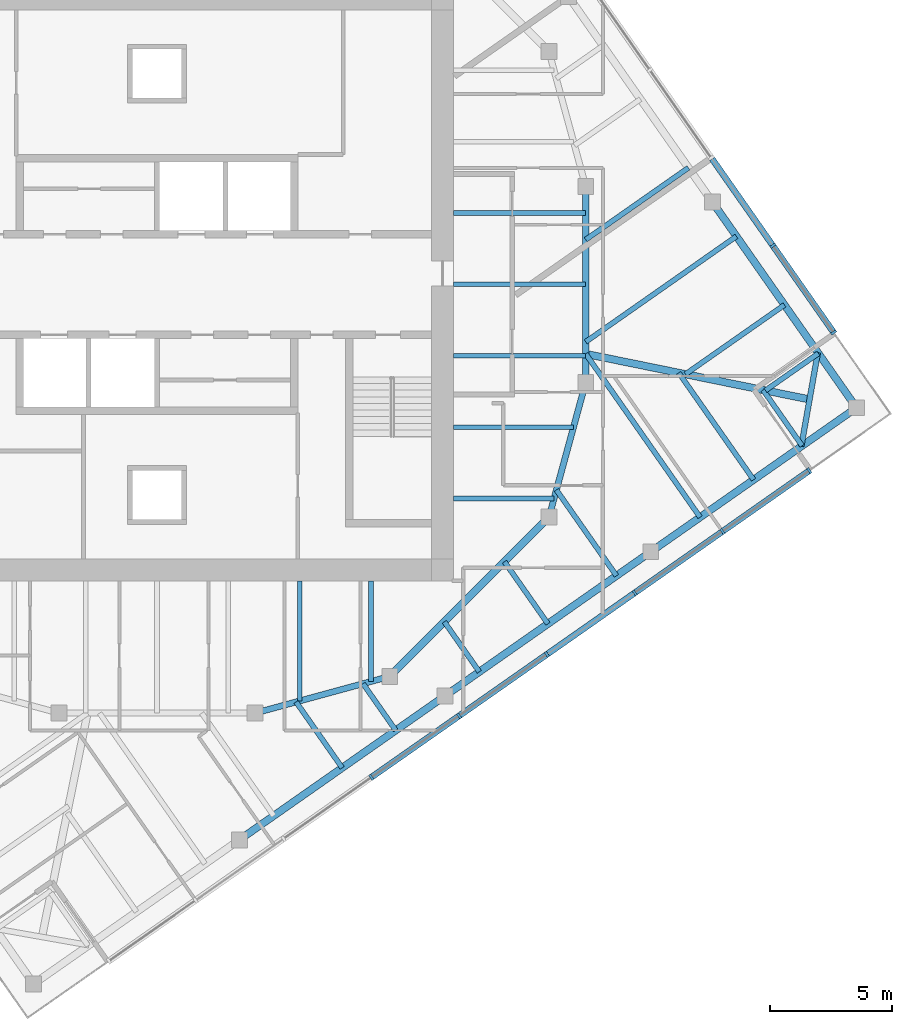
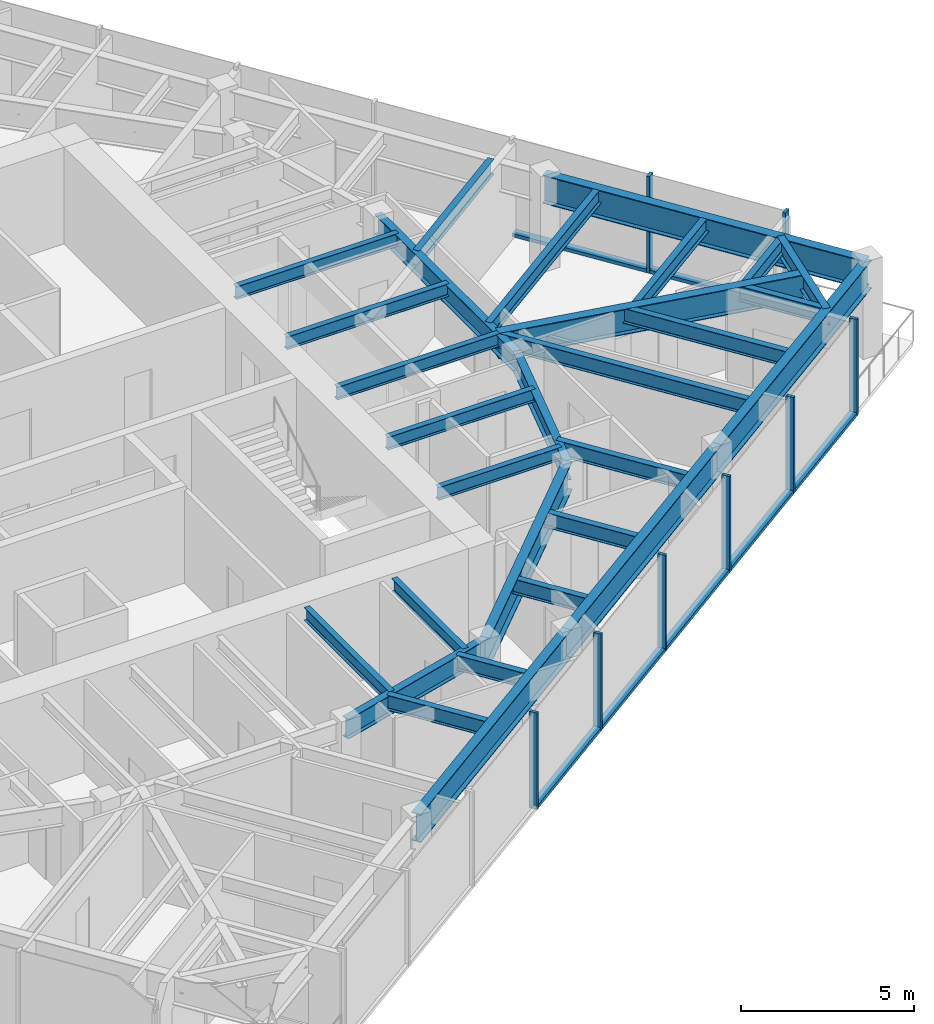
# One storey, part 3 of 13: 29 beams, 15 members, 2 elements without a shape of their own.
"""IFC4 building model written with IfcOpenShell, lengths in metres."""

from ifc_helpers import new_model, si_unit, direction, frame, origin, origin_2d, place, context, subcontext, project, spatial, rectangle, i_section, extrude, material, material_profile, profile_set, type_object, element, aggregate, save


model = new_model("IFC4")

# Units and contexts
model_context = context("Model", 3, precision=1e-05, world=origin(), true_north=direction((0.0, 1.0)))
body_context = subcontext(model_context, "Body", "Model", "MODEL_VIEW")
ifc_project = project(units=[si_unit("LENGTHUNIT", "METRE"), si_unit("AREAUNIT", "SQUARE_METRE"), si_unit("VOLUMEUNIT", "CUBIC_METRE"), si_unit("PLANEANGLEUNIT", "RADIAN"), si_unit("MASSUNIT", "GRAM", prefix="KILO")], contexts=[model_context])

# Site, building, storey
site_placement = place(None, origin())
site = spatial("IfcSite", under=ifc_project, at=site_placement, CompositionType="ELEMENT")
building_placement = place(site_placement, origin())
building = spatial("IfcBuilding", under=site, at=building_placement, Name="Torsade Residences", CompositionType="ELEMENT")
storey_placement = place(building_placement, frame((0.0, 0.0, 260.800048828125)))
storey = spatial("IfcBuildingStorey", under=building, at=storey_placement, Name="L72", CompositionType="ELEMENT", Elevation=260.800048828125)

# Beams
ifc_material_1 = material(Name="Steel grade 300", Category="steel")
ifc_material_profile_1 = material_profile(ifc_material_1, i_section(OverallWidth=0.300048828125, OverallDepth=0.89990234375, WebThickness=0.011962890625, FlangeThickness=0.02490234375, at=origin_2d()), Name="900WB175")
ifc_profile_set_1 = profile_set([ifc_material_profile_1], Name="Steel grade 300")
beam_type_1 = type_object("IfcBeamType", Name="CORNER GIRDER 900WB175", PredefinedType="BEAM", material=ifc_profile_set_1)
beam_1_placement = place(storey_placement, frame((66.635986328125, 25.303466796875, 2.800048828125), z_axis=(-0.979880626756, 0.199584461589, 0.0), x_axis=(-0.199584461589, -0.979880626756, 0.0)))
element("IfcBeam", 1, at=beam_1_placement, inside=storey, type_object=beam_type_1, Name="Corner girder 05 L73", PredefinedType="BEAM", context=body_context, shape_type="SweptSolid", body=[
    extrude(i_section(OverallWidth=0.300048828125, OverallDepth=0.89990234375, WebThickness=0.011962890625, FlangeThickness=0.02490234375, at=origin_2d()), origin(), (0.0, 0.0, 1.0), 9.323486328125),
])
ifc_material_2 = material(Name="Steel grade 300", Category="steel")
ifc_material_profile_2 = material_profile(ifc_material_2, i_section(OverallWidth=0.22802734375, OverallDepth=0.60205078125, WebThickness=0.010498046875, FlangeThickness=0.014892578125, FilletRadius=0.013916015625, at=origin_2d()), Name="610UB101")
ifc_profile_set_2 = profile_set([ifc_material_profile_2], Name="Steel grade 300")
beam_type_2 = type_object("IfcBeamType", Name="CORNER TRIMMER 610UB101", PredefinedType="BEAM", material=ifc_profile_set_2)
beam_2_placement = place(storey_placement, frame((66.9736328125, 27.21826171875, 2.948974609375), z_axis=(-0.173645660267, -0.984808196894, 0.0), x_axis=(0.984808196894, -0.173645660267, 0.0)))
element("IfcBeam", 2, at=beam_2_placement, inside=storey, type_object=beam_type_2, Name="Corner trimmer 05 L73", PredefinedType="BEAM", context=body_context, shape_type="SweptSolid", body=[
    extrude(i_section(OverallWidth=0.22802734375, OverallDepth=0.60205078125, WebThickness=0.010498046875, FlangeThickness=0.014892578125, FilletRadius=0.013916015625, at=origin_2d()), origin(), (0.0, 0.0, 1.0), 3.888916015625),
])
ifc_material_3 = material(Name="Steel grade 300", Category="steel")
ifc_material_profile_3 = material_profile(ifc_material_3, i_section(OverallWidth=0.300048828125, OverallDepth=1.0, WebThickness=0.01611328125, FlangeThickness=0.028076171875, at=origin_2d()), Name="1000WB215")
ifc_profile_set_3 = profile_set([ifc_material_profile_3], Name="Steel grade 300")
beam_type_3 = type_object("IfcBeamType", Name="EDGE BEAM 1000WB215", PredefinedType="SPANDREL", material=ifc_profile_set_3)
for number, where, z_axis, x_axis, name in (
    (3, (43.362060546875, 7.328125, 2.75), (0.819150225126, 0.573579034377, 0.0), (-0.573579034377, 0.819150225126, 0.0), "Edge beam 02 L73"),
    (4, (51.75830078125, 13.207275390625, 2.75), (0.819150225126, 0.573579034377, 0.0), (-0.573579034377, 0.819150225126, 0.0), "Edge beam 03 L73"),
):
    element("IfcBeam", number, at=place(storey_placement, frame(where, z_axis=z_axis, x_axis=x_axis)), inside=storey, type_object=beam_type_3, Name=name, PredefinedType="SPANDREL", context=body_context, shape_type="SweptSolid", body=[
        extrude(i_section(OverallWidth=0.300048828125, OverallDepth=1.0, WebThickness=0.01611328125, FlangeThickness=0.028076171875, at=origin_2d()), origin(), (0.0, 0.0, 1.0), 10.25),
    ])
beam_3_placement = place(storey_placement, frame((60.154541015625, 19.08642578125, 2.75), z_axis=(0.819146870247, 0.573583825578, 0.0), x_axis=(-0.573583825578, 0.819146870247, 0.0)))
element("IfcBeam", 5, at=beam_3_placement, inside=storey, type_object=beam_type_3, Name="Edge beam 04 L73", PredefinedType="SPANDREL", context=body_context, shape_type="SweptSolid", body=[
    extrude(i_section(OverallWidth=0.300048828125, OverallDepth=1.0, WebThickness=0.01611328125, FlangeThickness=0.028076171875, at=origin_2d()), origin(), (0.0, 0.0, 1.0), 10.250244140625),
])
beam_4_placement = place(storey_placement, frame((68.551025390625, 24.9658203125, 2.75), z_axis=(-0.573579034377, 0.819150225126, 0.0), x_axis=(-0.819150225126, -0.573579034377, 0.0)))
element("IfcBeam", 6, at=beam_4_placement, inside=storey, type_object=beam_type_3, Name="Edge beam 05 L73", PredefinedType="SPANDREL", context=body_context, shape_type="SweptSolid", body=[
    extrude(i_section(OverallWidth=0.300048828125, OverallDepth=1.0, WebThickness=0.01611328125, FlangeThickness=0.028076171875, at=origin_2d()), origin(), (0.0, 0.0, 1.0), 10.25),
])

# Curtain wall, members
ifc_material_4 = material(Name="Aluminium and glass", Category="aluminium")
curtain_wall_type = type_object("IfcCurtainWallType", Name="FRITTED GLASS CURTAIN WALL HIGH ZONE", PredefinedType="NOTDEFINED", material=ifc_material_4)
curtain_wall_1_placement = place(storey_placement, origin())
curtain_wall_1 = element("IfcCurtainWall", 7, at=curtain_wall_1_placement, inside=storey, type_object=curtain_wall_type, Name="Curtain wall L72 face 1", PredefinedType="NOTDEFINED")
ifc_material_5 = material(Name="Aluminium mullion", Category="aluminium")
ifc_material_profile_4 = material_profile(ifc_material_5, rectangle(XDim=0.25, YDim=0.10009765625, at=origin_2d()), Name="HIGH ZONE CURTAIN WALL MULLION 250x100")
ifc_profile_set_4 = profile_set([ifc_material_profile_4], Name="Aluminium mullion")
member_type_1 = type_object("IfcMemberType", Name="HIGH ZONE CURTAIN WALL MULLION 250x100", PredefinedType="MULLION", material=ifc_profile_set_4)
member_1_placement = place(storey_placement, frame((48.748046875, 9.87890625, 0.0), z_axis=(0.0, 0.0, 1.0), x_axis=(-0.573576457682, 0.819152029353, 0.0)))
member_1 = element("IfcMember", 8, at=member_1_placement, type_object=member_type_1, Name="Mullion 4", PredefinedType="MULLION", context=body_context, shape_type="SweptSolid", body=[
    extrude(rectangle(XDim=0.25, YDim=0.10009765625, at=origin_2d()), origin(), (0.0, 0.0, 1.0), 3.39990234375),
])
member_2_placement = place(storey_placement, frame((52.331787109375, 12.38818359375, 0.0), z_axis=(0.0, 0.0, 1.0), x_axis=(-0.573576457682, 0.819152029353, 0.0)))
member_2 = element("IfcMember", 9, at=member_2_placement, type_object=member_type_1, Name="Mullion 5", PredefinedType="MULLION", context=body_context, shape_type="SweptSolid", body=[
    extrude(rectangle(XDim=0.25, YDim=0.10009765625, at=origin_2d()), origin(), (0.0, 0.0, 1.0), 3.39990234375),
])
member_3_placement = place(storey_placement, frame((55.915771484375, 14.897705078125, 0.0), z_axis=(0.0, 0.0, 1.0), x_axis=(-0.573576457682, 0.819152029353, 0.0)))
member_3 = element("IfcMember", 10, at=member_3_placement, type_object=member_type_1, Name="Mullion 6", PredefinedType="MULLION", context=body_context, shape_type="SweptSolid", body=[
    extrude(rectangle(XDim=0.25, YDim=0.10009765625, at=origin_2d()), origin(), (0.0, 0.0, 1.0), 3.39990234375),
])
member_4_placement = place(storey_placement, frame((59.49951171875, 17.406982421875, 0.0), z_axis=(0.0, 0.0, 1.0), x_axis=(-0.573576457682, 0.819152029353, 0.0)))
member_4 = element("IfcMember", 11, at=member_4_placement, type_object=member_type_1, Name="Mullion 7", PredefinedType="MULLION", context=body_context, shape_type="SweptSolid", body=[
    extrude(rectangle(XDim=0.25, YDim=0.10009765625, at=origin_2d()), origin(), (0.0, 0.0, 1.0), 3.39990234375),
])
member_5_placement = place(storey_placement, frame((63.083251953125, 19.91650390625, 0.0), z_axis=(0.0, 0.0, 1.0), x_axis=(-0.573576457682, 0.819152029353, 0.0)))
member_5 = element("IfcMember", 12, at=member_5_placement, type_object=member_type_1, Name="Mullion 8", PredefinedType="MULLION", context=body_context, shape_type="SweptSolid", body=[
    extrude(rectangle(XDim=0.25, YDim=0.10009765625, at=origin_2d()), origin(), (0.0, 0.0, 1.0), 3.39990234375),
])
member_6_placement = place(storey_placement, frame((66.6259765625, 22.397216796875, 0.0), z_axis=(0.0, 0.0, 1.0), x_axis=(-0.573576457682, 0.819152029353, 0.0)))
member_6 = element("IfcMember", 13, at=member_6_placement, type_object=member_type_1, Name="Mullion 9", PredefinedType="MULLION", context=body_context, shape_type="SweptSolid", body=[
    extrude(rectangle(XDim=0.25, YDim=0.10009765625, at=origin_2d()), origin(), (0.0, 0.0, 1.0), 3.39990234375),
])

curtain_wall_2_placement = place(storey_placement, origin())
curtain_wall_2 = element("IfcCurtainWall", 14, at=curtain_wall_2_placement, inside=storey, type_object=curtain_wall_type, Name="Curtain wall L72 face 4", PredefinedType="NOTDEFINED")
member_7_placement = place(storey_placement, frame((67.62060546875, 28.03759765625, 0.0), z_axis=(0.0, 0.0, 1.0), x_axis=(-0.819152029353, -0.573576457682, 0.0)))
member_7 = element("IfcMember", 15, at=member_7_placement, type_object=member_type_1, Name="Mullion 1", PredefinedType="MULLION", context=body_context, shape_type="SweptSolid", body=[
    extrude(rectangle(XDim=0.25, YDim=0.10009765625, at=origin_2d()), origin(), (0.0, 0.0, 1.0), 3.39990234375),
])
member_8_placement = place(storey_placement, frame((65.139892578125, 31.58056640625, 0.0), z_axis=(0.0, 0.0, 1.0), x_axis=(-0.819152029353, -0.573576457682, 0.0)))
member_8 = element("IfcMember", 16, at=member_8_placement, type_object=member_type_1, Name="Mullion 2", PredefinedType="MULLION", context=body_context, shape_type="SweptSolid", body=[
    extrude(rectangle(XDim=0.25, YDim=0.10009765625, at=origin_2d()), origin(), (0.0, 0.0, 1.0), 3.39990234375),
])

# Member
ifc_material_6 = material(Name="Aluminium transom", Category="aluminium")
ifc_material_profile_5 = material_profile(ifc_material_6, rectangle(XDim=0.25, YDim=0.1201171875, at=origin_2d()), Name="HIGH ZONE CURTAIN WALL TRANSOM 250x120")
ifc_profile_set_5 = profile_set([ifc_material_profile_5], Name="Aluminium transom")
member_type_2 = type_object("IfcMemberType", Name="HIGH ZONE CURTAIN WALL TRANSOM 250x120", PredefinedType="USERDEFINED", material=ifc_profile_set_5)
member_9_placement = place(storey_placement, frame((48.7890625, 9.907470703125, 0.06005859375), z_axis=(0.819146058863, 0.57358498433, 0.0), x_axis=(-0.57358498433, 0.819146058863, 0.0)))
member_9 = element("IfcMember", 17, at=member_9_placement, type_object=member_type_2, Name="Transom 4.1", ObjectType="TRANSOM", PredefinedType="USERDEFINED", context=body_context, shape_type="SweptSolid", body=[
    extrude(rectangle(XDim=0.25, YDim=0.1201171875, at=origin_2d()), origin(), (0.0, 0.0, 1.0), 4.275146484375),
])

member_10_placement = place(storey_placement, frame((52.372802734375, 12.4169921875, 0.06005859375), z_axis=(0.81917289067, 0.573546663483, 0.0), x_axis=(-0.573546663483, 0.81917289067, 0.0)))
member_10 = element("IfcMember", 18, at=member_10_placement, type_object=member_type_2, Name="Transom 5.1", ObjectType="TRANSOM", PredefinedType="USERDEFINED", context=body_context, shape_type="SweptSolid", body=[
    extrude(rectangle(XDim=0.25, YDim=0.1201171875, at=origin_2d()), origin(), (0.0, 0.0, 1.0), 4.27490234375),
])

member_11_placement = place(storey_placement, frame((55.95654296875, 14.92626953125, 0.06005859375), z_axis=(0.819146058863, 0.57358498433, 0.0), x_axis=(-0.57358498433, 0.819146058863, 0.0)))
member_11 = element("IfcMember", 19, at=member_11_placement, type_object=member_type_2, Name="Transom 6.1", ObjectType="TRANSOM", PredefinedType="USERDEFINED", context=body_context, shape_type="SweptSolid", body=[
    extrude(rectangle(XDim=0.25, YDim=0.1201171875, at=origin_2d()), origin(), (0.0, 0.0, 1.0), 4.275146484375),
])

member_12_placement = place(storey_placement, frame((59.54052734375, 17.435791015625, 0.06005859375), z_axis=(0.819154102984, 0.573573496219, 0.0), x_axis=(-0.573573496219, 0.819154102984, 0.0)))
member_12 = element("IfcMember", 20, at=member_12_placement, type_object=member_type_2, Name="Transom 7.1", ObjectType="TRANSOM", PredefinedType="USERDEFINED", context=body_context, shape_type="SweptSolid", body=[
    extrude(rectangle(XDim=0.25, YDim=0.1201171875, at=origin_2d()), origin(), (0.0, 0.0, 1.0), 4.27490234375),
])

member_13_placement = place(storey_placement, frame((63.124267578125, 19.945068359375, 0.06005859375), z_axis=(0.819155901234, 0.573570928023, 0.0), x_axis=(-0.573570928023, 0.819155901234, 0.0)))
member_13 = element("IfcMember", 21, at=member_13_placement, type_object=member_type_2, Name="Transom 8.1", ObjectType="TRANSOM", PredefinedType="USERDEFINED", context=body_context, shape_type="SweptSolid", body=[
    extrude(rectangle(XDim=0.25, YDim=0.1201171875, at=origin_2d()), origin(), (0.0, 0.0, 1.0), 4.22509765625),
])

aggregate(curtain_wall_1, [member_1, member_2, member_3, member_4, member_5, member_6, member_9, member_10, member_11, member_12, member_13])

member_14_placement = place(storey_placement, frame((67.592041015625, 28.07861328125, 0.06005859375), z_axis=(-0.573570928023, 0.819155901234, 0.0), x_axis=(-0.819155901234, -0.573570928023, 0.0)))
member_14 = element("IfcMember", 22, at=member_14_placement, type_object=member_type_2, Name="Transom 1.1", ObjectType="TRANSOM", PredefinedType="USERDEFINED", context=body_context, shape_type="SweptSolid", body=[
    extrude(rectangle(XDim=0.25, YDim=0.1201171875, at=origin_2d()), origin(), (0.0, 0.0, 1.0), 4.22509765625),
])

member_15_placement = place(storey_placement, frame((65.111328125, 31.62158203125, 0.06005859375), z_axis=(-0.573611817101, 0.819127269283, 0.0), x_axis=(-0.819127269283, -0.573611817101, 0.0)))
member_15 = element("IfcMember", 23, at=member_15_placement, type_object=member_type_2, Name="Transom 2.1", ObjectType="TRANSOM", PredefinedType="USERDEFINED", context=body_context, shape_type="SweptSolid", body=[
    extrude(rectangle(XDim=0.25, YDim=0.1201171875, at=origin_2d()), origin(), (0.0, 0.0, 1.0), 4.27490234375),
])

aggregate(curtain_wall_2, [member_7, member_8, member_14, member_15])

# Beams
ifc_material_7 = material(Name="Steel grade 300", Category="steel")
ifc_material_profile_6 = material_profile(ifc_material_7, i_section(OverallWidth=0.18994140625, OverallDepth=0.4541015625, WebThickness=0.008544921875, FlangeThickness=0.0126953125, FilletRadius=0.011474609375, at=origin_2d()), Name="460UB67.1")
ifc_profile_set_6 = profile_set([ifc_material_profile_6], Name="Steel grade 300")
beam_type_4 = type_object("IfcBeamType", Name="INNER FLOOR BEAM 460UB67.1", PredefinedType="JOIST", material=ifc_profile_set_6)
beam_5_placement = place(storey_placement, frame((48.737548828125, 17.89990234375, 3.02294921875), z_axis=(0.0, -1.0, 0.0), x_axis=(1.0, 0.0, 0.0)))
element("IfcBeam", 24, at=beam_5_placement, inside=storey, type_object=beam_type_4, Name="Inner floor beam IS01 L73", PredefinedType="JOIST", context=body_context, shape_type="SweptSolid", body=[
    extrude(i_section(OverallWidth=0.18994140625, OverallDepth=0.4541015625, WebThickness=0.008544921875, FlangeThickness=0.0126953125, FilletRadius=0.011474609375, at=origin_2d()), origin(), (0.0, 0.0, 1.0), 4.10791015625),
])
beam_6_placement = place(storey_placement, frame((45.824951171875, 17.89990234375, 3.02294921875), z_axis=(0.0, -1.0, 0.0), x_axis=(1.0, 0.0, 0.0)))
element("IfcBeam", 25, at=beam_6_placement, inside=storey, type_object=beam_type_4, Name="Inner floor beam IS02 L73", PredefinedType="JOIST", context=body_context, shape_type="SweptSolid", body=[
    extrude(i_section(OverallWidth=0.18994140625, OverallDepth=0.4541015625, WebThickness=0.008544921875, FlangeThickness=0.0126953125, FilletRadius=0.011474609375, at=origin_2d()), origin(), (0.0, 0.0, 1.0), 4.902099609375),
])
beam_7_placement = place(storey_placement, frame((52.10009765625, 21.262451171875, 3.02294921875), z_axis=(1.0, 0.0, 0.0), x_axis=(0.0, 1.0, 0.0)))
element("IfcBeam", 26, at=beam_7_placement, inside=storey, type_object=beam_type_4, Name="Inner floor beam IE01 L73", PredefinedType="JOIST", context=body_context, shape_type="SweptSolid", body=[
    extrude(i_section(OverallWidth=0.18994140625, OverallDepth=0.4541015625, WebThickness=0.008544921875, FlangeThickness=0.0126953125, FilletRadius=0.011474609375, at=origin_2d()), origin(), (0.0, 0.0, 1.0), 4.10791015625),
])
beam_8_placement = place(storey_placement, frame((52.10009765625, 24.175048828125, 3.02294921875), z_axis=(1.0, 0.0, 0.0), x_axis=(0.0, 1.0, 0.0)))
element("IfcBeam", 27, at=beam_8_placement, inside=storey, type_object=beam_type_4, Name="Inner floor beam IE02 L73", PredefinedType="JOIST", context=body_context, shape_type="SweptSolid", body=[
    extrude(i_section(OverallWidth=0.18994140625, OverallDepth=0.4541015625, WebThickness=0.008544921875, FlangeThickness=0.0126953125, FilletRadius=0.011474609375, at=origin_2d()), origin(), (0.0, 0.0, 1.0), 4.902099609375),
])
for number, where, z_axis, x_axis, name in (
    (28, (52.10009765625, 27.08740234375, 3.02294921875), (1.0, 0.0, 0.0), (0.0, 1.0, 0.0), "Inner floor beam IE03 L73"),
    (29, (52.10009765625, 30.0, 3.02294921875), (1.0, 0.0, 0.0), (0.0, 1.0, 0.0), "Inner floor beam IE04 L73"),
    (30, (52.10009765625, 32.91259765625, 3.02294921875), (1.0, 0.0, 0.0), (0.0, 1.0, 0.0), "Inner floor beam IE05 L73"),
):
    element("IfcBeam", number, at=place(storey_placement, frame(where, z_axis=z_axis, x_axis=x_axis)), inside=storey, type_object=beam_type_4, Name=name, PredefinedType="JOIST", context=body_context, shape_type="SweptSolid", body=[
        extrude(i_section(OverallWidth=0.18994140625, OverallDepth=0.4541015625, WebThickness=0.008544921875, FlangeThickness=0.0126953125, FilletRadius=0.011474609375, at=origin_2d()), origin(), (0.0, 0.0, 1.0), 5.39990234375),
    ])
ifc_material_8 = material(Name="Steel grade 300", Category="steel")
ifc_material_profile_7 = material_profile(ifc_material_8, i_section(OverallWidth=0.300048828125, OverallDepth=1.0, WebThickness=0.01611328125, FlangeThickness=0.028076171875, at=origin_2d()), Name="1000WB215")
ifc_profile_set_7 = profile_set([ifc_material_profile_7], Name="Steel grade 300")
beam_type_5 = type_object("IfcBeamType", Name="RING CORNER GIRDER 1000WB215", PredefinedType="BEAM", material=ifc_profile_set_7)
beam_9_placement = place(storey_placement, frame((49.5, 14.0, 2.75), z_axis=(0.707106781187, 0.707106781187, 0.0), x_axis=(-0.707106781187, 0.707106781187, 0.0)))
element("IfcBeam", 31, at=beam_9_placement, inside=storey, type_object=beam_type_5, Name="Ring girder IR15 L73", PredefinedType="BEAM", context=body_context, shape_type="SweptSolid", body=[
    extrude(i_section(OverallWidth=0.300048828125, OverallDepth=1.0, WebThickness=0.01611328125, FlangeThickness=0.028076171875, at=origin_2d()), origin(), (0.0, 0.0, 1.0), 9.1923828125),
])
ifc_material_9 = material(Name="Steel grade 300", Category="steel")
ifc_material_profile_8 = material_profile(ifc_material_9, i_section(OverallWidth=0.25, OverallDepth=0.699951171875, WebThickness=0.010009765625, FlangeThickness=0.02001953125, at=origin_2d()), Name="700WB130")
ifc_profile_set_8 = profile_set([ifc_material_profile_8], Name="Steel grade 300")
beam_type_6 = type_object("IfcBeamType", Name="RING GIRDER 700WB130", PredefinedType="BEAM", material=ifc_profile_set_8)
beam_10_placement = place(storey_placement, frame((57.5, 26.0, 2.89990234375), z_axis=(0.0, 1.0, 0.0), x_axis=(-1.0, 0.0, 0.0)))
element("IfcBeam", 32, at=beam_10_placement, inside=storey, type_object=beam_type_6, Name="Ring girder IR01 L73", PredefinedType="BEAM", context=body_context, shape_type="SweptSolid", body=[
    extrude(i_section(OverallWidth=0.25, OverallDepth=0.699951171875, WebThickness=0.010009765625, FlangeThickness=0.02001953125, at=origin_2d()), origin(), (0.0, 0.0, 1.0), 8.0),
])
for number, where, z_axis, x_axis, name in (
    (33, (44.0, 12.5, 2.89990234375), (0.964763821238, 0.263117405792, 0.0), (-0.263117405792, 0.964763821238, 0.0), "Ring girder IR14 L73"),
    (34, (56.0, 20.5, 2.89990234375), (0.263117405792, 0.964763821238, 0.0), (-0.964763821238, 0.263117405792, 0.0), "Ring girder IR16 L73"),
):
    element("IfcBeam", number, at=place(storey_placement, frame(where, z_axis=z_axis, x_axis=x_axis)), inside=storey, type_object=beam_type_6, Name=name, PredefinedType="BEAM", context=body_context, shape_type="SweptSolid", body=[
        extrude(i_section(OverallWidth=0.25, OverallDepth=0.699951171875, WebThickness=0.010009765625, FlangeThickness=0.02001953125, at=origin_2d()), origin(), (0.0, 0.0, 1.0), 5.700927734375),
    ])
ifc_material_10 = material(Name="Steel grade 300", Category="steel")
ifc_material_profile_9 = material_profile(ifc_material_10, i_section(OverallWidth=0.208984375, OverallDepth=0.532958984375, WebThickness=0.01025390625, FlangeThickness=0.015625, FilletRadius=0.013916015625, at=origin_2d()), Name="530UB92.4")
ifc_profile_set_9 = profile_set([ifc_material_profile_9], Name="Steel grade 300")
beam_type_7 = type_object("IfcBeamType", Name="SECONDARY BEAM 530UB92.4", PredefinedType="JOIST", material=ifc_profile_set_9)
beam_11_placement = place(storey_placement, frame((47.56005859375, 10.267822265625, 2.9833984375), z_axis=(-0.573552173902, 0.819169032504, 0.0), x_axis=(-0.819169032504, -0.573552173902, 0.0)))
element("IfcBeam", 35, at=beam_11_placement, inside=storey, type_object=beam_type_7, Name="Floor beam FS05 L73", PredefinedType="JOIST", context=body_context, shape_type="SweptSolid", body=[
    extrude(i_section(OverallWidth=0.208984375, OverallDepth=0.532958984375, WebThickness=0.01025390625, FlangeThickness=0.015625, FilletRadius=0.013916015625, at=origin_2d()), origin(), (0.0, 0.0, 1.0), 3.283203125),
])
beam_12_placement = place(storey_placement, frame((49.74462890625, 11.79736328125, 2.9833984375), z_axis=(-0.573567996949, 0.819157953557, 0.0), x_axis=(-0.819157953557, -0.573567996949, 0.0)))
element("IfcBeam", 36, at=beam_12_placement, inside=storey, type_object=beam_type_7, Name="Floor beam FS06 L73", PredefinedType="JOIST", context=body_context, shape_type="SweptSolid", body=[
    extrude(i_section(OverallWidth=0.208984375, OverallDepth=0.532958984375, WebThickness=0.01025390625, FlangeThickness=0.015625, FilletRadius=0.013916015625, at=origin_2d()), origin(), (0.0, 0.0, 1.0), 2.326171875),
])
beam_13_placement = place(storey_placement, frame((53.15771484375, 14.187255859375, 2.9833984375), z_axis=(-0.573547823109, 0.819172078752, 0.0), x_axis=(-0.819172078752, -0.573547823109, 0.0)))
element("IfcBeam", 37, at=beam_13_placement, inside=storey, type_object=beam_type_7, Name="Floor beam FS07 L73", PredefinedType="JOIST", context=body_context, shape_type="SweptSolid", body=[
    extrude(i_section(OverallWidth=0.208984375, OverallDepth=0.532958984375, WebThickness=0.01025390625, FlangeThickness=0.015625, FilletRadius=0.013916015625, at=origin_2d()), origin(), (0.0, 0.0, 1.0), 2.491943359375),
])
beam_14_placement = place(storey_placement, frame((55.95654296875, 16.14697265625, 2.9833984375), z_axis=(-0.573600013401, 0.819135534955, 0.0), x_axis=(-0.819135534955, -0.573600013401, 0.0)))
element("IfcBeam", 38, at=beam_14_placement, inside=storey, type_object=beam_type_7, Name="Floor beam FS08 L73", PredefinedType="JOIST", context=body_context, shape_type="SweptSolid", body=[
    extrude(i_section(OverallWidth=0.208984375, OverallDepth=0.532958984375, WebThickness=0.01025390625, FlangeThickness=0.015625, FilletRadius=0.013916015625, at=origin_2d()), origin(), (0.0, 0.0, 1.0), 3.09423828125),
])
beam_15_placement = place(storey_placement, frame((58.755126953125, 18.106689453125, 2.9833984375), z_axis=(-0.573581127575, 0.819148759439, 0.0), x_axis=(-0.819148759439, -0.573581127575, 0.0)))
element("IfcBeam", 39, at=beam_15_placement, inside=storey, type_object=beam_type_7, Name="Floor beam FS09 L73", PredefinedType="JOIST", context=body_context, shape_type="SweptSolid", body=[
    extrude(i_section(OverallWidth=0.208984375, OverallDepth=0.532958984375, WebThickness=0.01025390625, FlangeThickness=0.015625, FilletRadius=0.013916015625, at=origin_2d()), origin(), (0.0, 0.0, 1.0), 4.276123046875),
])
beam_16_placement = place(storey_placement, frame((62.16845703125, 20.49658203125, 2.9833984375), z_axis=(-0.573577087251, 0.819151588523, 0.0), x_axis=(-0.819151588523, -0.573577087251, 0.0)))
element("IfcBeam", 40, at=beam_16_placement, inside=storey, type_object=beam_type_7, Name="Floor beam FS10 L73", PredefinedType="JOIST", context=body_context, shape_type="SweptSolid", body=[
    extrude(i_section(OverallWidth=0.208984375, OverallDepth=0.532958984375, WebThickness=0.01025390625, FlangeThickness=0.015625, FilletRadius=0.013916015625, at=origin_2d()), origin(), (0.0, 0.0, 1.0), 8.13916015625),
])
beam_17_placement = place(storey_placement, frame((64.352783203125, 22.026123046875, 2.9833984375), z_axis=(-0.573597638513, 0.819137197966, 0.0), x_axis=(-0.819137197966, -0.573597638513, 0.0)))
element("IfcBeam", 41, at=beam_17_placement, inside=storey, type_object=beam_type_7, Name="Floor beam FS11 L73", PredefinedType="JOIST", context=body_context, shape_type="SweptSolid", body=[
    extrude(i_section(OverallWidth=0.208984375, OverallDepth=0.532958984375, WebThickness=0.01025390625, FlangeThickness=0.015625, FilletRadius=0.013916015625, at=origin_2d()), origin(), (0.0, 0.0, 1.0), 5.328369140625),
])
beam_18_placement = place(storey_placement, frame((66.332275390625, 23.412353515625, 2.9833984375), z_axis=(-0.573521270253, 0.819190669238, 0.0), x_axis=(-0.819190669238, -0.573521270253, 0.0)))
element("IfcBeam", 42, at=beam_18_placement, inside=storey, type_object=beam_type_7, Name="Floor beam FS12 L73", PredefinedType="JOIST", context=body_context, shape_type="SweptSolid", body=[
    extrude(i_section(OverallWidth=0.208984375, OverallDepth=0.532958984375, WebThickness=0.01025390625, FlangeThickness=0.015625, FilletRadius=0.013916015625, at=origin_2d()), origin(), (0.0, 0.0, 1.0), 2.780517578125),
])
beam_19_placement = place(storey_placement, frame((66.99755859375, 27.184326171875, 2.9833984375), z_axis=(-0.819140666445, -0.573592685254, 0.0), x_axis=(0.573592685254, -0.819140666445, 0.0)))
element("IfcBeam", 43, at=beam_19_placement, inside=storey, type_object=beam_type_7, Name="Floor beam FE01 L73", PredefinedType="JOIST", context=body_context, shape_type="SweptSolid", body=[
    extrude(i_section(OverallWidth=0.208984375, OverallDepth=0.532958984375, WebThickness=0.01025390625, FlangeThickness=0.015625, FilletRadius=0.013916015625, at=origin_2d()), origin(), (0.0, 0.0, 1.0), 2.639892578125),
])
beam_20_placement = place(storey_placement, frame((65.611328125, 29.163818359375, 2.9833984375), z_axis=(-0.819152843027, -0.573575295634, 0.0), x_axis=(0.573575295634, -0.819152843027, 0.0)))
element("IfcBeam", 44, at=beam_20_placement, inside=storey, type_object=beam_type_7, Name="Floor beam FE02 L73", PredefinedType="JOIST", context=body_context, shape_type="SweptSolid", body=[
    extrude(i_section(OverallWidth=0.208984375, OverallDepth=0.532958984375, WebThickness=0.01025390625, FlangeThickness=0.015625, FilletRadius=0.013916015625, at=origin_2d()), origin(), (0.0, 0.0, 1.0), 4.931884765625),
])
beam_21_placement = place(storey_placement, frame((63.651611328125, 31.962646484375, 2.9833984375), z_axis=(-0.819154019917, -0.573573614851, 0.0), x_axis=(0.573573614851, -0.819154019917, 0.0)))
element("IfcBeam", 45, at=beam_21_placement, inside=storey, type_object=beam_type_7, Name="Floor beam FE03 L73", PredefinedType="JOIST", context=body_context, shape_type="SweptSolid", body=[
    extrude(i_section(OverallWidth=0.208984375, OverallDepth=0.532958984375, WebThickness=0.01025390625, FlangeThickness=0.015625, FilletRadius=0.013916015625, at=origin_2d()), origin(), (0.0, 0.0, 1.0), 7.509765625),
])
beam_22_placement = place(storey_placement, frame((61.69189453125, 34.761474609375, 2.9833984375), z_axis=(-0.819142258339, -0.573590411882, 0.0), x_axis=(0.573590411882, -0.819142258339, 0.0)))
element("IfcBeam", 46, at=beam_22_placement, inside=storey, type_object=beam_type_7, Name="Floor beam FE04 L73", PredefinedType="JOIST", context=body_context, shape_type="SweptSolid", body=[
    extrude(i_section(OverallWidth=0.208984375, OverallDepth=0.532958984375, WebThickness=0.01025390625, FlangeThickness=0.015625, FilletRadius=0.013916015625, at=origin_2d()), origin(), (0.0, 0.0, 1.0), 5.117431640625),
])

save(model, "model.ifc")
